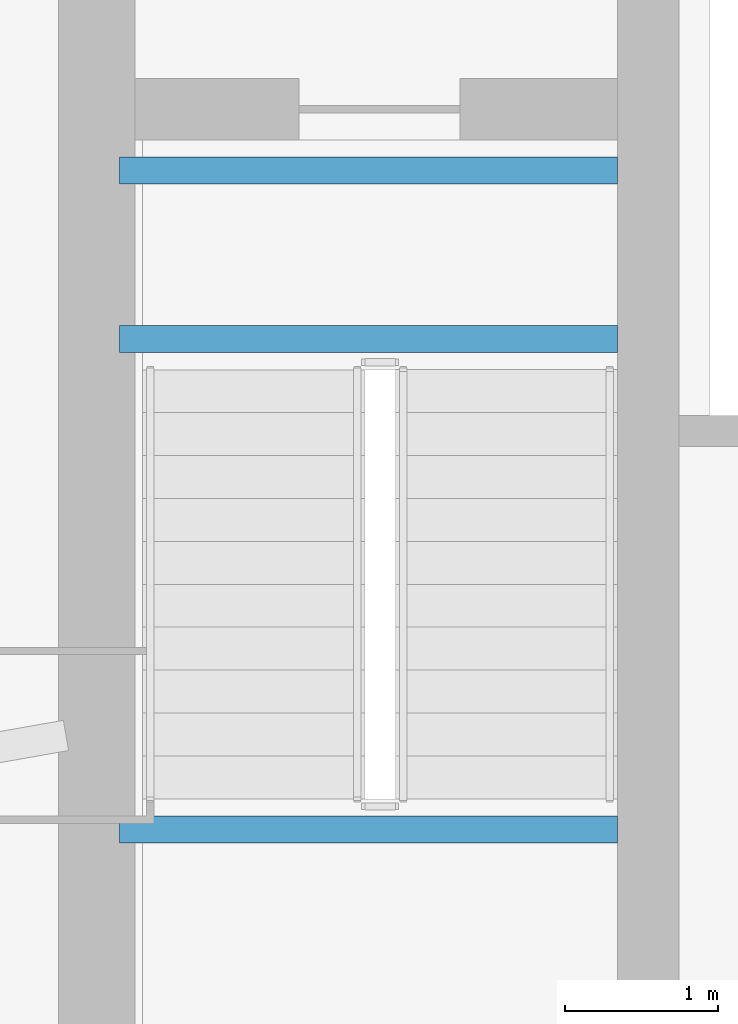
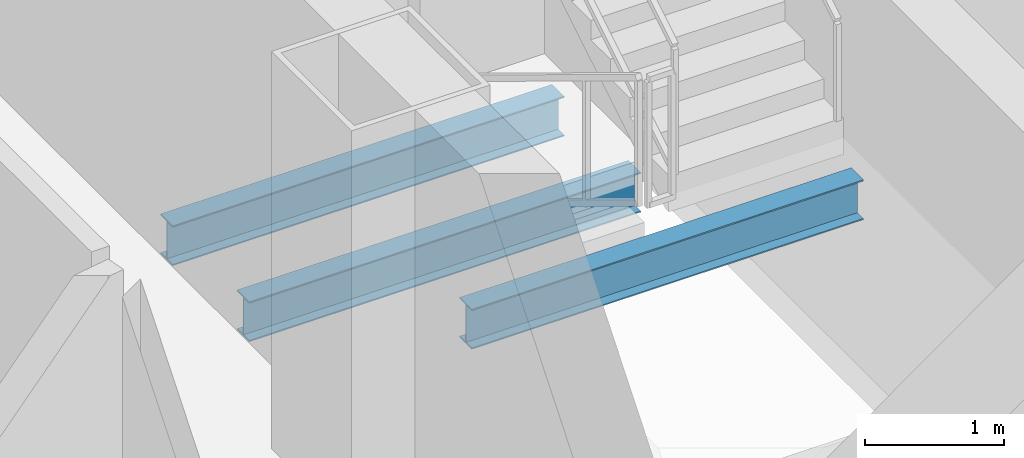
# One storey, part 6 of 30: 3 beams.
"""IFC4 building model written with IfcOpenShell, lengths in metres."""

from ifc_helpers import new_model, si_unit, direction, frame, origin, origin_2d, place, context, subcontext, project, spatial, i_section, extrude, source, transform, mapped, material, material_profile, profile_set, type_object, element, save


model = new_model("IFC4")

# Units and contexts
model_context = context("Model", 3, precision=1e-05, world=origin(), true_north=direction((0.0, 1.0)))
body_context = subcontext(model_context, "Body", "Model", "MODEL_VIEW")
ifc_project = project(units=[si_unit("LENGTHUNIT", "METRE"), si_unit("AREAUNIT", "SQUARE_METRE"), si_unit("VOLUMEUNIT", "CUBIC_METRE"), si_unit("PLANEANGLEUNIT", "RADIAN"), si_unit("MASSUNIT", "GRAM", prefix="KILO"), si_unit("THERMODYNAMICTEMPERATUREUNIT", "KELVIN"), si_unit("POWERUNIT", "WATT")], contexts=[model_context])

# Site, building, storey
site_placement = place(None, origin())
site = spatial("IfcSite", under=ifc_project, at=site_placement, CompositionType="ELEMENT")
building_placement = place(site_placement, origin())
building = spatial("IfcBuilding", under=site, at=building_placement, Name="Yunzhuo Pagoda Commons", CompositionType="ELEMENT")
storey_placement = place(building_placement, frame((0.0, 0.0, 355.510009765625)))
storey = spatial("IfcBuildingStorey", under=building, at=storey_placement, Name="L89", CompositionType="ELEMENT", Elevation=355.510009765625)

# Beams
ifc_material = material(Name="Structural steel Q355B", Category="steel")
ifc_material_profile = material_profile(ifc_material, i_section(OverallWidth=0.175048828125, OverallDepth=0.35009765625, WebThickness=0.007080078125, FlangeThickness=0.010986328125, at=origin_2d()), Name="Structural steel Q355B")
ifc_profile_set = profile_set([ifc_material_profile], Name="Structural steel Q355B")
beam_type = type_object("IfcBeamType", Name="B-JS2 Joist HN 350x175x7x11", PredefinedType="JOIST", material=ifc_profile_set)
shared_shape = source(origin(), body_context, "Body", "SweptSolid", [
    extrude(i_section(OverallWidth=0.175048828125, OverallDepth=0.35009765625, WebThickness=0.007080078125, FlangeThickness=0.010986328125, at=origin_2d()), origin(), (0.0, 0.0, 1.0), 3.25),
])
for number, where, z_axis, x_axis, name in (
    (1, (35.949951171875, 30.89990234375, 1.5), (1.0, 0.0, 0.0), (0.0, 1.0, 0.0), "L89 ST1 landing support beam 95B"),
    (2, (35.949951171875, 34.10009765625, -0.375), (1.0, 0.0, 0.0), (0.0, 1.0, 0.0), "L89 ST1 landing support beam 193A"),
    (3, (35.949951171875, 35.199951171875, -0.375), (1.0, 0.0, 0.0), (0.0, 1.0, 0.0), "L89 ST1 landing support beam 193B"),
):
    element("IfcBeam", number, at=place(storey_placement, frame(where, z_axis=z_axis, x_axis=x_axis)), inside=storey, type_object=beam_type, Name=name, PredefinedType="JOIST", context=body_context, shape_type="MappedRepresentation", body=[
        mapped(shared_shape, transform((0.0, 0.0, 0.0), scale=1.0)),
    ])

save(model, "model.ifc")
